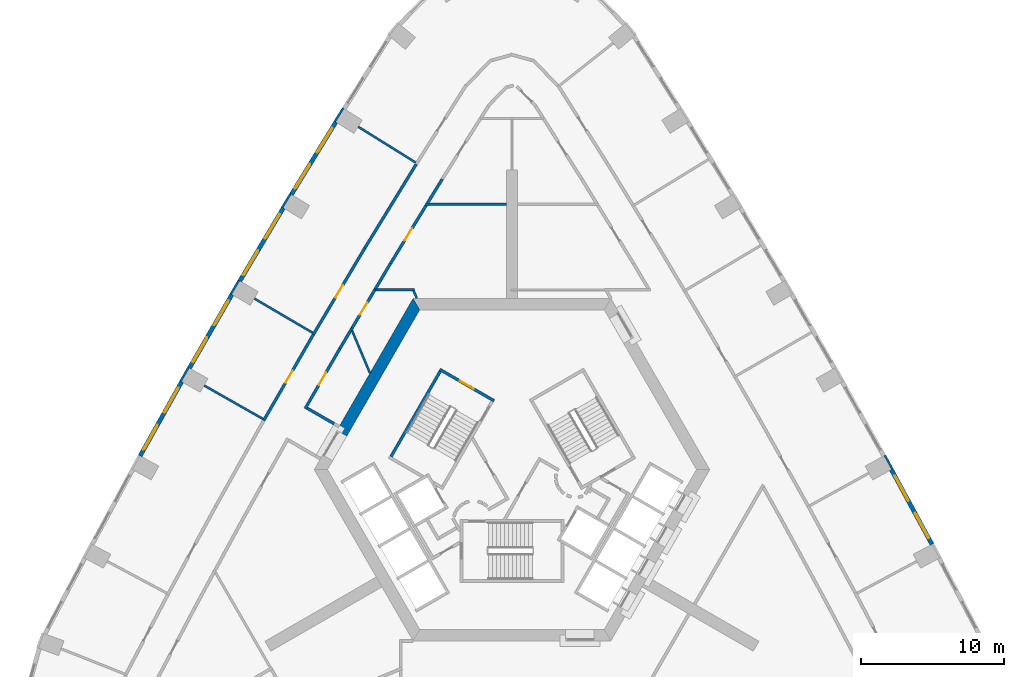
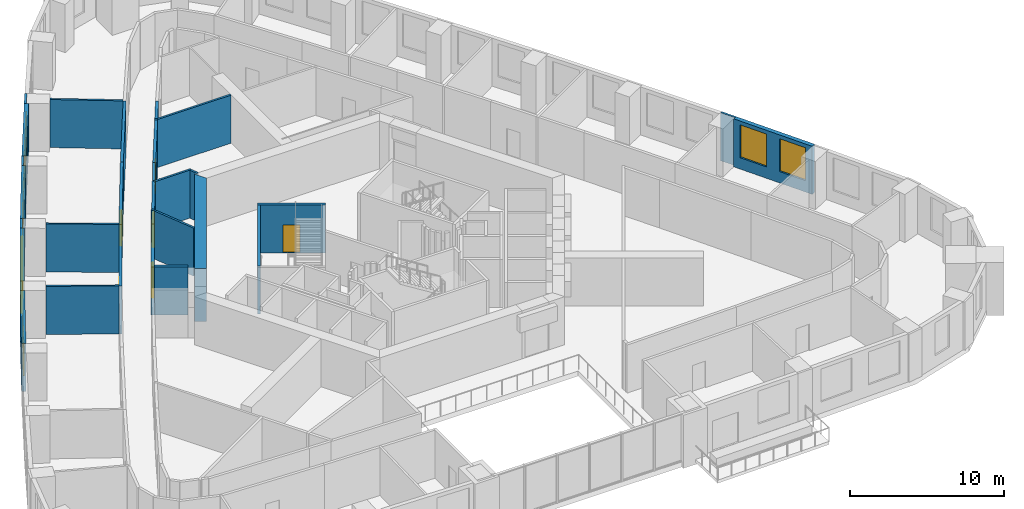
# One storey, part 8 of 12: 30 walls, 10 windows, 6 doors, 16 openings.
"""IFC4 building model written with IfcOpenShell, lengths in metres."""

from ifc_helpers import new_model, si_unit, direction, frame, frame_2d, origin, place, context, subcontext, project, spatial, polyline, rectangle, outline, extrude, material, layer, layer_set, type_object, element, fill, save


model = new_model("IFC4")

# Units and contexts
model_context = context("Model", 3, precision=1e-05, world=origin(), true_north=direction((0.0, 1.0)))
body_context = subcontext(model_context, "Body", "Model", "MODEL_VIEW")
ifc_project = project(units=[si_unit("LENGTHUNIT", "METRE"), si_unit("AREAUNIT", "SQUARE_METRE"), si_unit("VOLUMEUNIT", "CUBIC_METRE"), si_unit("PLANEANGLEUNIT", "RADIAN"), si_unit("MASSUNIT", "GRAM", prefix="KILO")], contexts=[model_context])

# Site, building, storey
site_placement = place(None, origin())
site = spatial("IfcSite", under=ifc_project, at=site_placement, CompositionType="ELEMENT")
building_placement = place(site_placement, origin())
building = spatial("IfcBuilding", under=site, at=building_placement, Name="Entoto Arch Interchange Tower", CompositionType="ELEMENT")
storey_placement = place(building_placement, frame((0.0, 0.0, 155.0)))
storey = spatial("IfcBuildingStorey", under=building, at=storey_placement, Name="L34", CompositionType="ELEMENT", Elevation=155.0)

# Walls
ifc_material_1 = material(Name="Concrete C50/60", Category="concrete")
ifc_layer_1 = layer(ifc_material_1, 0.800048828125)
ifc_layer_set_1 = layer_set([ifc_layer_1], Name="Concrete C50/60")
wall_type_1 = type_object("IfcWallType", Name="Core wall 800 C50/60", PredefinedType="SHEAR", material=ifc_layer_set_1)
wall_1_placement = place(storey_placement, frame((0.0, 0.0, -0.39990234375)))
element("IfcWall", 1, at=wall_1_placement, inside=storey, type_object=wall_type_1, Name="Core wall NW L34", PredefinedType="SHEAR", context=body_context, shape_type="SweptSolid", body=[
    extrude(outline(polyline([(-12.26708984375, 5.251953125), (-11.574951171875, 4.85205078125), (-6.466064453125, 13.699951171875), (-6.927978515625, 14.5), (-12.26708984375, 5.251953125)])), origin(), (0.0, 0.0, 1.0), 4.199951171875),
])
ifc_material_2 = material(Name="Gypsum board partition on steel studs", Category="steel")
ifc_layer_2 = layer(ifc_material_2, 0.14990234375)
ifc_layer_set_2 = layer_set([ifc_layer_2], Name="Gypsum board partition on steel studs")
wall_type_2 = type_object("IfcWallType", Name="PARTITION 150", PredefinedType="PARTITIONING", material=ifc_layer_set_2)
wall_2_placement = place(storey_placement, frame((-9.951904296875, 9.261962890625, 0.0), z_axis=(0.0, 0.0, 1.0), x_axis=(-0.38905491579, 0.921214563769, 0.0)))
element("IfcWall", 2, at=wall_2_placement, inside=storey, type_object=wall_type_2, Name="wall:L34:p085", PredefinedType="PARTITIONING", context=body_context, shape_type="SweptSolid", body=[
    extrude(rectangle(XDim=3.444580078125, YDim=0.14990234375, at=frame_2d((1.72216796875, 0.0))), origin(), (0.0, 0.0, 1.0), 3.800048828125),
])
wall_3_placement = place(storey_placement, frame((-6.845947265625, 15.10009765625, 0.0), z_axis=(0.0, 0.0, 1.0), x_axis=(-1.0, 0.0, 0.0)))
element("IfcWall", 3, at=wall_3_placement, inside=storey, type_object=wall_type_2, Name="wall:L34:p086", PredefinedType="PARTITIONING", context=body_context, shape_type="SweptSolid", body=[
    extrude(rectangle(XDim=2.76611328125, YDim=0.14990234375, at=frame_2d((1.383056640625, 0.0))), origin(), (0.0, 0.0, 1.0), 3.800048828125),
])
wall_4_placement = place(storey_placement, frame((-6.66796875, 14.5, 0.0), z_axis=(0.0, 0.0, 1.0), x_axis=(-0.388852201086, 0.921300149631, 0.0)))
element("IfcWall", 4, at=wall_4_placement, inside=storey, type_object=wall_type_2, Name="wall:L34:p087", PredefinedType="PARTITIONING", context=body_context, shape_type="SweptSolid", body=[
    extrude(rectangle(XDim=0.576416015625, YDim=0.14990234375, at=frame_2d((0.2880859375, 0.0))), origin(), (0.0, 0.0, 1.0), 3.800048828125),
])
wall_5_placement = place(storey_placement, frame((-6.06591796875, 21.10009765625, 0.0), z_axis=(0.0, 0.0, 1.0), x_axis=(1.0, 0.0, 0.0)))
element("IfcWall", 5, at=wall_5_placement, inside=storey, type_object=wall_type_2, Name="wall:L34:p114", PredefinedType="PARTITIONING", context=body_context, shape_type="SweptSolid", body=[
    extrude(rectangle(XDim=5.666015625, YDim=0.14990234375, at=frame_2d((2.8330078125, 0.0))), origin(), (0.0, 0.0, 1.0), 3.800048828125),
])
wall_6_placement = place(storey_placement, frame((-6.7548828125, 24.02294921875, 0.0), z_axis=(0.0, 0.0, 1.0), x_axis=(-0.848896034983, 0.528559856392, 0.0)))
element("IfcWall", 6, at=wall_6_placement, inside=storey, type_object=wall_type_2, Name="wall:L34:p132", PredefinedType="PARTITIONING", context=body_context, shape_type="SweptSolid", body=[
    extrude(rectangle(XDim=4.729736328125, YDim=0.14990234375, at=frame_2d((2.36474609375, 0.0))), origin(), (0.0, 0.0, 1.0), 3.800048828125),
])
wall_7_placement = place(storey_placement, frame((-13.965087890625, 12.087890625, 0.0), z_axis=(0.0, 0.0, 1.0), x_axis=(-0.862617990649, 0.50585591052, 0.0)))
element("IfcWall", 7, at=wall_7_placement, inside=storey, type_object=wall_type_2, Name="wall:L34:p133", PredefinedType="PARTITIONING", context=body_context, shape_type="SweptSolid", body=[
    extrude(rectangle(XDim=4.730712890625, YDim=0.14990234375, at=frame_2d((2.365234375, 0.0))), origin(), (0.0, 0.0, 1.0), 3.800048828125),
])
wall_8_placement = place(storey_placement, frame((-17.450927734375, 6.051025390625, 0.0), z_axis=(0.0, 0.0, 1.0), x_axis=(-0.869409691741, 0.494091882049, 0.0)))
element("IfcWall", 8, at=wall_8_placement, inside=storey, type_object=wall_type_2, Name="wall:L34:p134", PredefinedType="PARTITIONING", context=body_context, shape_type="SweptSolid", body=[
    extrude(rectangle(XDim=4.729736328125, YDim=0.14990234375, at=frame_2d((2.36474609375, 0.0))), origin(), (0.0, 0.0, 1.0), 3.800048828125),
])

# Wall, opening, door
ifc_layer_3 = layer(ifc_material_2, 0.199951171875)
ifc_layer_set_3 = layer_set([ifc_layer_3], Name="Gypsum board partition on steel studs")
wall_type_3 = type_object("IfcWallType", Name="PARTITION 200", PredefinedType="PARTITIONING", material=ifc_layer_set_3)
wall_9_placement = place(storey_placement, frame((-9.573974609375, 15.1640625, 0.0), z_axis=(0.0, 0.0, 1.0), x_axis=(-0.511482522046, -0.859293680671, 0.0)))
wall_9 = element("IfcWall", 9, at=wall_9_placement, inside=storey, type_object=wall_type_3, Name="wall:L34:p001", PredefinedType="PARTITIONING", context=body_context, shape_type="SweptSolid", body=[
    extrude(rectangle(XDim=3.20849609375, YDim=0.199951171875, at=frame_2d((1.604248046875, 0.0))), origin(), (0.0, 0.0, 1.0), 3.800048828125),
])
opening_1_placement = place(wall_9_placement, frame((1.10400390625, 0.0, 0.0)))
opening_1 = element("IfcOpeningElement", 10, at=opening_1_placement, cuts=wall_9, Name="Opening L34-D28", PredefinedType="OPENING", context=body_context, shape_type="SweptSolid", body=[
    extrude(rectangle(XDim=1.0, YDim=2.10009765625, at=frame_2d((0.5, 1.050048828125))), frame((0.0, 0.10986328125, 0.0), z_axis=(0.0, -1.0, 0.0), x_axis=(1.0, 0.0, 0.0)), (0.0, 0.0, 1.0), 0.219970703125),
])
ifc_material_3 = material(Name="Timber door leaf in Steel S235 frame", Category="steel")
door_type_1 = type_object("IfcDoorType", Name="DOOR DS-10 1000x2100", OperationType="SINGLE_SWING_LEFT", PredefinedType="DOOR", material=ifc_material_3)
door_1_placement = place(opening_1_placement, origin())
door_1 = element("IfcDoor", 11, at=door_1_placement, inside=storey, type_object=door_type_1, Name="door:L34:28", OperationType="SINGLE_SWING_RIGHT", OverallHeight=2.10009765625, OverallWidth=1.0, PredefinedType="DOOR", context=body_context, shape_type="SweptSolid", body=[
    extrude(rectangle(XDim=1.0, YDim=2.10009765625, at=frame_2d((0.5, 1.050048828125))), frame((0.0, 0.02490234375, 0.0), z_axis=(0.0, -1.0, 0.0), x_axis=(1.0, 0.0, 0.0)), (0.0, 0.0, 1.0), 0.050048828125),
])
fill(opening_1, door_1)

# Wall
wall_10_placement = place(storey_placement, frame((-11.291015625, 12.278076171875, 0.0), z_axis=(0.0, 0.0, 1.0), x_axis=(-0.511628198266, -0.859206952217, 0.0)))
element("IfcWall", 12, at=wall_10_placement, inside=storey, type_object=wall_type_3, Name="wall:L34:p002", PredefinedType="PARTITIONING", context=body_context, shape_type="SweptSolid", body=[
    extrude(rectangle(XDim=1.5166015625, YDim=0.199951171875, at=frame_2d((0.75830078125, 0.0))), origin(), (0.0, 0.0, 1.0), 3.800048828125),
])

# Wall, opening, door
wall_11_placement = place(storey_placement, frame((-12.06689453125, 10.97509765625, 0.0), z_axis=(0.0, 0.0, 1.0), x_axis=(-0.500215616273, -0.865900881878, 0.0)))
wall_11 = element("IfcWall", 13, at=wall_11_placement, inside=storey, type_object=wall_type_3, Name="wall:L34:p003", PredefinedType="PARTITIONING", context=body_context, shape_type="SweptSolid", body=[
    extrude(rectangle(XDim=4.856201171875, YDim=0.199951171875, at=frame_2d((2.42822265625, 0.0))), origin(), (0.0, 0.0, 1.0), 3.800048828125),
])
opening_2_placement = place(wall_11_placement, frame((1.927978515625, 0.0, 0.0)))
opening_2 = element("IfcOpeningElement", 14, at=opening_2_placement, cuts=wall_11, Name="Opening L34-D29", PredefinedType="OPENING", context=body_context, shape_type="SweptSolid", body=[
    extrude(rectangle(XDim=1.0, YDim=2.10009765625, at=frame_2d((0.5, 1.050048828125))), frame((0.0, 0.10986328125, 0.0), z_axis=(0.0, -1.0, 0.0), x_axis=(1.0, 0.0, 0.0)), (0.0, 0.0, 1.0), 0.219970703125),
])
door_2_placement = place(opening_2_placement, origin())
door_2 = element("IfcDoor", 15, at=door_2_placement, inside=storey, type_object=door_type_1, Name="door:L34:29", OperationType="SINGLE_SWING_LEFT", OverallHeight=2.10009765625, OverallWidth=1.0, PredefinedType="DOOR", context=body_context, shape_type="SweptSolid", body=[
    extrude(rectangle(XDim=1.0, YDim=2.10009765625, at=frame_2d((0.5, 1.050048828125))), frame((0.0, 0.02490234375, 0.0), z_axis=(0.0, -1.0, 0.0), x_axis=(1.0, 0.0, 0.0)), (0.0, 0.0, 1.0), 0.050048828125),
])
fill(opening_2, door_2)

# Wall
wall_12_placement = place(storey_placement, frame((-14.35888671875, 6.805908203125, 0.0), z_axis=(0.0, 0.0, 1.0), x_axis=(0.866155875717, -0.499773947861, 0.0)))
element("IfcWall", 16, at=wall_12_placement, inside=storey, type_object=wall_type_3, Name="wall:L34:p004", PredefinedType="PARTITIONING", context=body_context, shape_type="SweptSolid", body=[
    extrude(rectangle(XDim=2.18896484375, YDim=0.199951171875, at=frame_2d((1.094482421875, 0.0))), origin(), (0.0, 0.0, 1.0), 3.800048828125),
])

# Wall, opening, door
wall_13_placement = place(storey_placement, frame((-6.0048828125, 21.035888671875, 0.0), z_axis=(0.0, 0.0, 1.0), x_axis=(-0.522865983217, -0.852414901086, 0.0)))
wall_13 = element("IfcWall", 17, at=wall_13_placement, inside=storey, type_object=wall_type_3, Name="wall:L34:p009", PredefinedType="PARTITIONING", context=body_context, shape_type="SweptSolid", body=[
    extrude(rectangle(XDim=4.802734375, YDim=0.199951171875, at=frame_2d((2.4013671875, 0.0))), origin(), (0.0, 0.0, 1.0), 3.800048828125),
])
opening_3_placement = place(wall_13_placement, frame((1.90087890625, 0.0, 0.0)))
opening_3 = element("IfcOpeningElement", 18, at=opening_3_placement, cuts=wall_13, Name="Opening L34-D20", PredefinedType="OPENING", context=body_context, shape_type="SweptSolid", body=[
    extrude(rectangle(XDim=1.0, YDim=2.10009765625, at=frame_2d((0.5, 1.050048828125))), frame((0.0, 0.10986328125, 0.0), z_axis=(0.0, -1.0, 0.0), x_axis=(1.0, 0.0, 0.0)), (0.0, 0.0, 1.0), 0.219970703125),
])
door_3_placement = place(opening_3_placement, origin())
door_3 = element("IfcDoor", 19, at=door_3_placement, inside=storey, type_object=door_type_1, Name="door:L34:20", OperationType="SINGLE_SWING_LEFT", OverallHeight=2.10009765625, OverallWidth=1.0, PredefinedType="DOOR", context=body_context, shape_type="SweptSolid", body=[
    extrude(rectangle(XDim=1.0, YDim=2.10009765625, at=frame_2d((0.5, 1.050048828125))), frame((0.0, 0.02490234375, 0.0), z_axis=(0.0, -1.0, 0.0), x_axis=(1.0, 0.0, 0.0)), (0.0, 0.0, 1.0), 0.050048828125),
])
fill(opening_3, door_3)

# Walls
wall_14_placement = place(storey_placement, frame((-8.51611328125, 16.94189453125, 0.0), z_axis=(0.0, 0.0, 1.0), x_axis=(-0.511351070319, -0.859371911854, 0.0)))
element("IfcWall", 20, at=wall_14_placement, inside=storey, type_object=wall_type_3, Name="wall:L34:p010", PredefinedType="PARTITIONING", context=body_context, shape_type="SweptSolid", body=[
    extrude(rectangle(XDim=2.06884765625, YDim=0.199951171875, at=frame_2d((1.034423828125, 0.0))), origin(), (0.0, 0.0, 1.0), 3.800048828125),
])
wall_15_placement = place(storey_placement, frame((-4.886962890625, 22.860107421875, 0.0), z_axis=(0.0, 0.0, 1.0), x_axis=(-0.522754838565, -0.852483066552, 0.0)))
element("IfcWall", 21, at=wall_15_placement, inside=storey, type_object=wall_type_3, Name="wall:L34:p014", PredefinedType="PARTITIONING", context=body_context, shape_type="SweptSolid", body=[
    extrude(rectangle(XDim=1.989501953125, YDim=0.199951171875, at=frame_2d((0.99462890625, 0.0))), origin(), (0.0, 0.0, 1.0), 3.800048828125),
])

# Wall, opening, door
wall_16_placement = place(storey_placement, frame((-13.9169921875, 11.972900390625, 0.0), z_axis=(0.0, 0.0, 1.0), x_axis=(0.511455840413, 0.859309561978, 0.0)))
wall_16 = element("IfcWall", 22, at=wall_16_placement, inside=storey, type_object=wall_type_3, Name="wall:L34:p061", PredefinedType="PARTITIONING", context=body_context, shape_type="SweptSolid", body=[
    extrude(rectangle(XDim=7.046630859375, YDim=0.199951171875, at=frame_2d((3.5234375, 0.0))), origin(), (0.0, 0.0, 1.0), 3.800048828125),
])
opening_4_placement = place(wall_16_placement, frame((3.02294921875, 0.0, 0.0)))
opening_4 = element("IfcOpeningElement", 23, at=opening_4_placement, cuts=wall_16, Name="Opening L34-D11", PredefinedType="OPENING", context=body_context, shape_type="SweptSolid", body=[
    extrude(rectangle(XDim=1.0, YDim=2.10009765625, at=frame_2d((0.5, 1.050048828125))), frame((0.0, 0.10986328125, 0.0), z_axis=(0.0, -1.0, 0.0), x_axis=(1.0, 0.0, 0.0)), (0.0, 0.0, 1.0), 0.219970703125),
])
door_4_placement = place(opening_4_placement, origin())
door_4 = element("IfcDoor", 24, at=door_4_placement, inside=storey, type_object=door_type_1, Name="door:L34:11", OperationType="SINGLE_SWING_LEFT", OverallHeight=2.10009765625, OverallWidth=1.0, PredefinedType="DOOR", context=body_context, shape_type="SweptSolid", body=[
    extrude(rectangle(XDim=1.0, YDim=2.10009765625, at=frame_2d((0.5, 1.050048828125))), frame((0.0, 0.02490234375, 0.0), z_axis=(0.0, -1.0, 0.0), x_axis=(1.0, 0.0, 0.0)), (0.0, 0.0, 1.0), 0.050048828125),
])
fill(opening_4, door_4)

# Wall
wall_17_placement = place(storey_placement, frame((-10.31298828125, 18.028076171875, 0.0), z_axis=(0.0, 0.0, 1.0), x_axis=(0.522772968793, 0.85247194857, 0.0)))
element("IfcWall", 25, at=wall_17_placement, inside=storey, type_object=wall_type_3, Name="wall:L34:p062", PredefinedType="PARTITIONING", context=body_context, shape_type="SweptSolid", body=[
    extrude(rectangle(XDim=6.89404296875, YDim=0.199951171875, at=frame_2d((3.447021484375, 0.0))), origin(), (0.0, 0.0, 1.0), 3.800048828125),
])

# Wall, opening, door
wall_18_placement = place(storey_placement, frame((-17.402099609375, 5.93603515625, 0.0), z_axis=(0.0, 0.0, 1.0), x_axis=(0.500135788517, 0.865946992052, 0.0)))
wall_18 = element("IfcWall", 26, at=wall_18_placement, inside=storey, type_object=wall_type_3, Name="wall:L34:p063", PredefinedType="PARTITIONING", context=body_context, shape_type="SweptSolid", body=[
    extrude(rectangle(XDim=6.97021484375, YDim=0.199951171875, at=frame_2d((3.485107421875, 0.0))), origin(), (0.0, 0.0, 1.0), 3.800048828125),
])
opening_5_placement = place(wall_18_placement, frame((3.06005859375, 0.0, 0.0)))
opening_5 = element("IfcOpeningElement", 27, at=opening_5_placement, cuts=wall_18, Name="Opening L34-D12", PredefinedType="OPENING", context=body_context, shape_type="SweptSolid", body=[
    extrude(rectangle(XDim=1.0, YDim=2.10009765625, at=frame_2d((0.5, 1.050048828125))), frame((0.0, 0.10986328125, 0.0), z_axis=(0.0, -1.0, 0.0), x_axis=(1.0, 0.0, 0.0)), (0.0, 0.0, 1.0), 0.219970703125),
])
door_5_placement = place(opening_5_placement, origin())
door_5 = element("IfcDoor", 28, at=door_5_placement, inside=storey, type_object=door_type_1, Name="door:L34:12", OperationType="SINGLE_SWING_LEFT", OverallHeight=2.10009765625, OverallWidth=1.0, PredefinedType="DOOR", context=body_context, shape_type="SweptSolid", body=[
    extrude(rectangle(XDim=1.0, YDim=2.10009765625, at=frame_2d((0.5, 1.050048828125))), frame((0.0, 0.02490234375, 0.0), z_axis=(0.0, -1.0, 0.0), x_axis=(1.0, 0.0, 0.0)), (0.0, 0.0, 1.0), 0.050048828125),
])
fill(opening_5, door_5)

ifc_material_4 = material(Name="Concrete C40/50", Category="concrete")
ifc_layer_4 = layer(ifc_material_4, 0.199951171875)
ifc_layer_set_4 = layer_set([ifc_layer_4], Name="Concrete C40/50")
wall_type_4 = type_object("IfcWallType", Name="STAIR ENCLOSURE WALL 200", PredefinedType="STANDARD", material=ifc_layer_set_4)
wall_19_placement = place(storey_placement, frame((-1.256103515625, 7.323974609375, 0.0), z_axis=(0.0, 0.0, 1.0), x_axis=(-0.866046073146, 0.499964197906, 0.0)))
wall_19 = element("IfcWall", 29, at=wall_19_placement, inside=storey, type_object=wall_type_4, Name="Stair wall ST-NW near", PredefinedType="STANDARD", context=body_context, shape_type="SweptSolid", body=[
    extrude(rectangle(XDim=4.400146484375, YDim=0.199951171875, at=frame_2d((2.2001953125, 0.0))), origin(), (0.0, 0.0, 1.0), 3.800048828125),
])
opening_6_placement = place(wall_19_placement, frame((1.64990234375, 0.0, 0.0)))
opening_6 = element("IfcOpeningElement", 30, at=opening_6_placement, cuts=wall_19, Name="Opening SD-ST-NW-L34-E", PredefinedType="OPENING", context=body_context, shape_type="SweptSolid", body=[
    extrude(rectangle(XDim=1.10009765625, YDim=2.199951171875, at=frame_2d((0.550048828125, 1.10009765625))), frame((0.0, 0.10986328125, 0.0), z_axis=(0.0, -1.0, 0.0), x_axis=(1.0, 0.0, 0.0)), (0.0, 0.0, 1.0), 0.219970703125),
])
ifc_material_5 = material(Name="Steel S235", Category="steel")
door_type_2 = type_object("IfcDoorType", Name="STAIR DOOR SD1 1100x2200", OperationType="SINGLE_SWING_LEFT", PredefinedType="DOOR", material=ifc_material_5)
door_6_placement = place(opening_6_placement, origin())
door_6 = element("IfcDoor", 31, at=door_6_placement, inside=storey, type_object=door_type_2, Name="Stair door ST-NW L34 end", OperationType="SINGLE_SWING_LEFT", OverallHeight=2.199951171875, OverallWidth=1.10009765625, PredefinedType="DOOR", context=body_context, shape_type="SweptSolid", body=[
    extrude(rectangle(XDim=1.10009765625, YDim=2.199951171875, at=frame_2d((0.550048828125, 1.10009765625))), frame((0.0, 0.02490234375, 0.0), z_axis=(0.0, -1.0, 0.0), x_axis=(1.0, 0.0, 0.0)), (0.0, 0.0, 1.0), 0.050048828125),
])
fill(opening_6, door_6)

# Wall
wall_20_placement = place(storey_placement, frame((-5.030029296875, 9.387939453125, 0.0), z_axis=(0.0, 0.0, 1.0), x_axis=(-0.499978703459, -0.866037698999, 0.0)))
element("IfcWall", 32, at=wall_20_placement, inside=storey, type_object=wall_type_4, Name="Stair wall ST-NW back", PredefinedType="STANDARD", context=body_context, shape_type="SweptSolid", body=[
    extrude(rectangle(XDim=6.900146484375, YDim=0.199951171875, at=frame_2d((3.4501953125, 0.0))), origin(), (0.0, 0.0, 1.0), 3.800048828125),
])

# Wall, openings, windows
ifc_material_6 = material(Name="Welded tuff (ignimbrite) cladding, warm buff", Category="masonry")
ifc_layer_5 = layer(ifc_material_6, 0.300048828125)
ifc_layer_set_5 = layer_set([ifc_layer_5], Name="Welded tuff (ignimbrite) cladding, warm buff")
wall_type_5 = type_object("IfcWallType", Name="STONE INFILL WALL 300", PredefinedType="STANDARD", material=ifc_layer_set_5)
wall_21_placement = place(storey_placement, frame((29.43408203125, -2.736083984375, 0.0), z_axis=(0.0, 0.0, 1.0), x_axis=(-0.476970695077, 0.878919197673, 0.0)))
wall_21 = element("IfcWall", 33, at=wall_21_placement, inside=storey, type_object=wall_type_5, Name="Facade wall NE-02 L34", PredefinedType="STANDARD", context=body_context, shape_type="SweptSolid", body=[
    extrude(rectangle(XDim=5.95849609375, YDim=0.300048828125, at=frame_2d((2.979248046875, 0.0))), origin(), (0.0, 0.0, 1.0), 3.800048828125),
])
opening_7_placement = place(wall_21_placement, frame((0.489990234375, 0.0, 0.89990234375)))
opening_7 = element("IfcOpeningElement", 34, at=opening_7_placement, cuts=wall_21, Name="Opening WO-C", PredefinedType="OPENING", context=body_context, shape_type="SweptSolid", body=[
    extrude(rectangle(XDim=2.0, YDim=2.60009765625, at=frame_2d((1.0, 1.300048828125))), frame((0.0, 0.16015625, 0.0), z_axis=(0.0, -1.0, 0.0), x_axis=(1.0, 0.0, 0.0)), (0.0, 0.0, 1.0), 0.320068359375),
])
opening_8_placement = place(wall_21_placement, frame((3.468994140625, 0.0, 0.89990234375)))
opening_8 = element("IfcOpeningElement", 35, at=opening_8_placement, cuts=wall_21, Name="Opening WO-C", PredefinedType="OPENING", context=body_context, shape_type="SweptSolid", body=[
    extrude(rectangle(XDim=2.0, YDim=2.60009765625, at=frame_2d((1.0, 1.300048828125))), frame((0.0, 0.16015625, 0.0), z_axis=(0.0, -1.0, 0.0), x_axis=(1.0, 0.0, 0.0)), (0.0, 0.0, 1.0), 0.320068359375),
])
ifc_material_7 = material(Name="Clear glass, low-e double glazed", Category="glass")
window_type = type_object("IfcWindowType", Name="WINDOW WO-C 2000x2600", PartitioningType="DOUBLE_PANEL_VERTICAL", PredefinedType="WINDOW", material=ifc_material_7)
window_1_placement = place(opening_7_placement, origin())
window_1 = element("IfcWindow", 36, at=window_1_placement, inside=storey, type_object=window_type, Name="Window WO-C NE-02 L34", OverallHeight=2.60009765625, OverallWidth=2.0, PartitioningType="SINGLE_PANEL", PredefinedType="WINDOW", context=body_context, shape_type="SweptSolid", body=[
    extrude(rectangle(XDim=2.0, YDim=2.60009765625, at=frame_2d((1.0, 1.300048828125))), frame((0.0, 0.030029296875, 0.0), z_axis=(0.0, -1.0, 0.0), x_axis=(1.0, 0.0, 0.0)), (0.0, 0.0, 1.0), 0.06005859375),
])
fill(opening_7, window_1)
window_2_placement = place(opening_8_placement, origin())
window_2 = element("IfcWindow", 37, at=window_2_placement, inside=storey, type_object=window_type, Name="Window WO-C NE-02 L34", OverallHeight=2.60009765625, OverallWidth=2.0, PartitioningType="SINGLE_PANEL", PredefinedType="WINDOW", context=body_context, shape_type="SweptSolid", body=[
    extrude(rectangle(XDim=2.0, YDim=2.60009765625, at=frame_2d((1.0, 1.300048828125))), frame((0.0, 0.030029296875, 0.0), z_axis=(0.0, -1.0, 0.0), x_axis=(1.0, 0.0, 0.0)), (0.0, 0.0, 1.0), 0.06005859375),
])
fill(opening_8, window_2)

wall_22_placement = place(storey_placement, frame((-12.347900390625, 26.85791015625, 0.0), z_axis=(0.0, 0.0, 1.0), x_axis=(-0.522704272908, -0.852514072074, 0.0)))
wall_22 = element("IfcWall", 38, at=wall_22_placement, inside=storey, type_object=wall_type_5, Name="Facade wall NW-02 L34", PredefinedType="STANDARD", context=body_context, shape_type="SweptSolid", body=[
    extrude(rectangle(XDim=5.95751953125, YDim=0.300048828125, at=frame_2d((2.978759765625, 0.0))), origin(), (0.0, 0.0, 1.0), 3.800048828125),
])
opening_9_placement = place(wall_22_placement, frame((0.489013671875, 0.0, 0.89990234375)))
opening_9 = element("IfcOpeningElement", 39, at=opening_9_placement, cuts=wall_22, Name="Opening WO-C", PredefinedType="OPENING", context=body_context, shape_type="SweptSolid", body=[
    extrude(rectangle(XDim=2.0, YDim=2.60009765625, at=frame_2d((1.0, 1.300048828125))), frame((0.0, 0.16015625, 0.0), z_axis=(0.0, -1.0, 0.0), x_axis=(1.0, 0.0, 0.0)), (0.0, 0.0, 1.0), 0.320068359375),
])
opening_10_placement = place(wall_22_placement, frame((3.468017578125, 0.0, 0.89990234375)))
opening_10 = element("IfcOpeningElement", 40, at=opening_10_placement, cuts=wall_22, Name="Opening WO-C", PredefinedType="OPENING", context=body_context, shape_type="SweptSolid", body=[
    extrude(rectangle(XDim=2.0, YDim=2.60009765625, at=frame_2d((1.0, 1.300048828125))), frame((0.0, 0.16015625, 0.0), z_axis=(0.0, -1.0, 0.0), x_axis=(1.0, 0.0, 0.0)), (0.0, 0.0, 1.0), 0.320068359375),
])
window_3_placement = place(opening_9_placement, origin())
window_3 = element("IfcWindow", 41, at=window_3_placement, inside=storey, type_object=window_type, Name="Window WO-C NW-02 L34", OverallHeight=2.60009765625, OverallWidth=2.0, PartitioningType="SINGLE_PANEL", PredefinedType="WINDOW", context=body_context, shape_type="SweptSolid", body=[
    extrude(rectangle(XDim=2.0, YDim=2.60009765625, at=frame_2d((1.0, 1.300048828125))), frame((0.0, 0.030029296875, 0.0), z_axis=(0.0, -1.0, 0.0), x_axis=(1.0, 0.0, 0.0)), (0.0, 0.0, 1.0), 0.06005859375),
])
fill(opening_9, window_3)
window_4_placement = place(opening_10_placement, origin())
window_4 = element("IfcWindow", 42, at=window_4_placement, inside=storey, type_object=window_type, Name="Window WO-C NW-02 L34", OverallHeight=2.60009765625, OverallWidth=2.0, PartitioningType="SINGLE_PANEL", PredefinedType="WINDOW", context=body_context, shape_type="SweptSolid", body=[
    extrude(rectangle(XDim=2.0, YDim=2.60009765625, at=frame_2d((1.0, 1.300048828125))), frame((0.0, 0.030029296875, 0.0), z_axis=(0.0, -1.0, 0.0), x_axis=(1.0, 0.0, 0.0)), (0.0, 0.0, 1.0), 0.06005859375),
])
fill(opening_10, window_4)

wall_23_placement = place(storey_placement, frame((-16.029052734375, 20.840087890625, 0.0), z_axis=(0.0, 0.0, 1.0), x_axis=(-0.511455040009, -0.859310038374, 0.0)))
wall_23 = element("IfcWall", 43, at=wall_23_placement, inside=storey, type_object=wall_type_5, Name="Facade wall NW-03 L34", PredefinedType="STANDARD", context=body_context, shape_type="SweptSolid", body=[
    extrude(rectangle(XDim=5.957275390625, YDim=0.300048828125, at=frame_2d((2.978515625, 0.0))), origin(), (0.0, 0.0, 1.0), 3.800048828125),
])
opening_11_placement = place(wall_23_placement, frame((0.489013671875, 0.0, 0.89990234375)))
opening_11 = element("IfcOpeningElement", 44, at=opening_11_placement, cuts=wall_23, Name="Opening WO-C", PredefinedType="OPENING", context=body_context, shape_type="SweptSolid", body=[
    extrude(rectangle(XDim=2.0, YDim=2.60009765625, at=frame_2d((1.0, 1.300048828125))), frame((0.0, 0.16015625, 0.0), z_axis=(0.0, -1.0, 0.0), x_axis=(1.0, 0.0, 0.0)), (0.0, 0.0, 1.0), 0.320068359375),
])
opening_12_placement = place(wall_23_placement, frame((3.468017578125, 0.0, 0.89990234375)))
opening_12 = element("IfcOpeningElement", 45, at=opening_12_placement, cuts=wall_23, Name="Opening WO-C", PredefinedType="OPENING", context=body_context, shape_type="SweptSolid", body=[
    extrude(rectangle(XDim=2.0, YDim=2.60009765625, at=frame_2d((1.0, 1.300048828125))), frame((0.0, 0.16015625, 0.0), z_axis=(0.0, -1.0, 0.0), x_axis=(1.0, 0.0, 0.0)), (0.0, 0.0, 1.0), 0.320068359375),
])
window_5_placement = place(opening_11_placement, origin())
window_5 = element("IfcWindow", 46, at=window_5_placement, inside=storey, type_object=window_type, Name="Window WO-C NW-03 L34", OverallHeight=2.60009765625, OverallWidth=2.0, PartitioningType="SINGLE_PANEL", PredefinedType="WINDOW", context=body_context, shape_type="SweptSolid", body=[
    extrude(rectangle(XDim=2.0, YDim=2.60009765625, at=frame_2d((1.0, 1.300048828125))), frame((0.0, 0.030029296875, 0.0), z_axis=(0.0, -1.0, 0.0), x_axis=(1.0, 0.0, 0.0)), (0.0, 0.0, 1.0), 0.06005859375),
])
fill(opening_11, window_5)
window_6_placement = place(opening_12_placement, origin())
window_6 = element("IfcWindow", 47, at=window_6_placement, inside=storey, type_object=window_type, Name="Window WO-C NW-03 L34", OverallHeight=2.60009765625, OverallWidth=2.0, PartitioningType="SINGLE_PANEL", PredefinedType="WINDOW", context=body_context, shape_type="SweptSolid", body=[
    extrude(rectangle(XDim=2.0, YDim=2.60009765625, at=frame_2d((1.0, 1.300048828125))), frame((0.0, 0.030029296875, 0.0), z_axis=(0.0, -1.0, 0.0), x_axis=(1.0, 0.0, 0.0)), (0.0, 0.0, 1.0), 0.06005859375),
])
fill(opening_12, window_6)

wall_24_placement = place(storey_placement, frame((-19.631103515625, 14.77392578125, 0.0), z_axis=(0.0, 0.0, 1.0), x_axis=(-0.500061823953, -0.865989706766, 0.0)))
wall_24 = element("IfcWall", 48, at=wall_24_placement, inside=storey, type_object=wall_type_5, Name="Facade wall NW-04 L34", PredefinedType="STANDARD", context=body_context, shape_type="SweptSolid", body=[
    extrude(rectangle(XDim=5.957275390625, YDim=0.300048828125, at=frame_2d((2.978515625, 0.0))), origin(), (0.0, 0.0, 1.0), 3.800048828125),
])
opening_13_placement = place(wall_24_placement, frame((0.489013671875, 0.0, 0.89990234375)))
opening_13 = element("IfcOpeningElement", 49, at=opening_13_placement, cuts=wall_24, Name="Opening WO-C", PredefinedType="OPENING", context=body_context, shape_type="SweptSolid", body=[
    extrude(rectangle(XDim=2.0, YDim=2.60009765625, at=frame_2d((1.0, 1.300048828125))), frame((0.0, 0.16015625, 0.0), z_axis=(0.0, -1.0, 0.0), x_axis=(1.0, 0.0, 0.0)), (0.0, 0.0, 1.0), 0.320068359375),
])
opening_14_placement = place(wall_24_placement, frame((3.468017578125, 0.0, 0.89990234375)))
opening_14 = element("IfcOpeningElement", 50, at=opening_14_placement, cuts=wall_24, Name="Opening WO-C", PredefinedType="OPENING", context=body_context, shape_type="SweptSolid", body=[
    extrude(rectangle(XDim=2.0, YDim=2.60009765625, at=frame_2d((1.0, 1.300048828125))), frame((0.0, 0.16015625, 0.0), z_axis=(0.0, -1.0, 0.0), x_axis=(1.0, 0.0, 0.0)), (0.0, 0.0, 1.0), 0.320068359375),
])
window_7_placement = place(opening_13_placement, origin())
window_7 = element("IfcWindow", 51, at=window_7_placement, inside=storey, type_object=window_type, Name="Window WO-C NW-04 L34", OverallHeight=2.60009765625, OverallWidth=2.0, PartitioningType="SINGLE_PANEL", PredefinedType="WINDOW", context=body_context, shape_type="SweptSolid", body=[
    extrude(rectangle(XDim=2.0, YDim=2.60009765625, at=frame_2d((1.0, 1.300048828125))), frame((0.0, 0.030029296875, 0.0), z_axis=(0.0, -1.0, 0.0), x_axis=(1.0, 0.0, 0.0)), (0.0, 0.0, 1.0), 0.06005859375),
])
fill(opening_13, window_7)
window_8_placement = place(opening_14_placement, origin())
window_8 = element("IfcWindow", 52, at=window_8_placement, inside=storey, type_object=window_type, Name="Window WO-C NW-04 L34", OverallHeight=2.60009765625, OverallWidth=2.0, PartitioningType="SINGLE_PANEL", PredefinedType="WINDOW", context=body_context, shape_type="SweptSolid", body=[
    extrude(rectangle(XDim=2.0, YDim=2.60009765625, at=frame_2d((1.0, 1.300048828125))), frame((0.0, 0.030029296875, 0.0), z_axis=(0.0, -1.0, 0.0), x_axis=(1.0, 0.0, 0.0)), (0.0, 0.0, 1.0), 0.06005859375),
])
fill(opening_14, window_8)

wall_25_placement = place(storey_placement, frame((-23.153076171875, 8.660888671875, 0.0), z_axis=(0.0, 0.0, 1.0), x_axis=(-0.488354983501, -0.872645065356, 0.0)))
wall_25 = element("IfcWall", 53, at=wall_25_placement, inside=storey, type_object=wall_type_5, Name="Facade wall NW-05 L34", PredefinedType="STANDARD", context=body_context, shape_type="SweptSolid", body=[
    extrude(rectangle(XDim=5.95654296875, YDim=0.300048828125, at=frame_2d((2.978271484375, 0.0))), origin(), (0.0, 0.0, 1.0), 3.800048828125),
])
opening_15_placement = place(wall_25_placement, frame((0.489013671875, 0.0, 0.89990234375)))
opening_15 = element("IfcOpeningElement", 54, at=opening_15_placement, cuts=wall_25, Name="Opening WO-C", PredefinedType="OPENING", context=body_context, shape_type="SweptSolid", body=[
    extrude(rectangle(XDim=2.0, YDim=2.60009765625, at=frame_2d((1.0, 1.300048828125))), frame((0.0, 0.16015625, 0.0), z_axis=(0.0, -1.0, 0.0), x_axis=(1.0, 0.0, 0.0)), (0.0, 0.0, 1.0), 0.320068359375),
])
opening_16_placement = place(wall_25_placement, frame((3.467041015625, 0.0, 0.89990234375)))
opening_16 = element("IfcOpeningElement", 55, at=opening_16_placement, cuts=wall_25, Name="Opening WO-C", PredefinedType="OPENING", context=body_context, shape_type="SweptSolid", body=[
    extrude(rectangle(XDim=2.0, YDim=2.60009765625, at=frame_2d((1.0, 1.300048828125))), frame((0.0, 0.16015625, 0.0), z_axis=(0.0, -1.0, 0.0), x_axis=(1.0, 0.0, 0.0)), (0.0, 0.0, 1.0), 0.320068359375),
])
window_9_placement = place(opening_15_placement, origin())
window_9 = element("IfcWindow", 56, at=window_9_placement, inside=storey, type_object=window_type, Name="Window WO-C NW-05 L34", OverallHeight=2.60009765625, OverallWidth=2.0, PartitioningType="SINGLE_PANEL", PredefinedType="WINDOW", context=body_context, shape_type="SweptSolid", body=[
    extrude(rectangle(XDim=2.0, YDim=2.60009765625, at=frame_2d((1.0, 1.300048828125))), frame((0.0, 0.030029296875, 0.0), z_axis=(0.0, -1.0, 0.0), x_axis=(1.0, 0.0, 0.0)), (0.0, 0.0, 1.0), 0.06005859375),
])
fill(opening_15, window_9)
window_10_placement = place(opening_16_placement, origin())
window_10 = element("IfcWindow", 57, at=window_10_placement, inside=storey, type_object=window_type, Name="Window WO-C NW-05 L34", OverallHeight=2.60009765625, OverallWidth=2.0, PartitioningType="SINGLE_PANEL", PredefinedType="WINDOW", context=body_context, shape_type="SweptSolid", body=[
    extrude(rectangle(XDim=2.0, YDim=2.60009765625, at=frame_2d((1.0, 1.300048828125))), frame((0.0, 0.030029296875, 0.0), z_axis=(0.0, -1.0, 0.0), x_axis=(1.0, 0.0, 0.0)), (0.0, 0.0, 1.0), 0.06005859375),
])
fill(opening_16, window_10)

# Walls
ifc_layer_6 = layer(ifc_material_6, 0.14990234375)
ifc_layer_set_6 = layer_set([ifc_layer_6], Name="Welded tuff (ignimbrite) cladding, warm buff")
wall_type_6 = type_object("IfcWallType", Name="STONE PIER CLADDING 150", PredefinedType="STANDARD", material=ifc_layer_set_6)
wall_26_placement = place(storey_placement, frame((26.660888671875, 2.5380859375, 0.0), z_axis=(0.0, 0.0, 1.0), x_axis=(-0.481680143513, 0.87634709981, 0.0)))
element("IfcWall", 58, at=wall_26_placement, inside=storey, type_object=wall_type_6, Name="Stone pier NE03 L34", PredefinedType="STANDARD", context=body_context, shape_type="SweptSolid", body=[
    extrude(rectangle(XDim=1.099853515625, YDim=0.14990234375, at=frame_2d((0.5498046875, 0.0))), origin(), (0.0, 0.0, 1.0), 3.800048828125),
])
for number, where, z_axis, x_axis, name in (
    (59, (-11.8330078125, 27.83203125, 0.0), (0.0, 0.0, 1.0), (-0.529879262372, -0.848073090782, 0.0), "Stone pier NW02 L34"),
    (60, (-15.528076171875, 21.821044921875, 0.0), (0.0, 0.0, 1.0), (-0.517918067967, -0.85543022794, 0.0), "Stone pier NW03 L34"),
):
    element("IfcWall", number, at=place(storey_placement, frame(where, z_axis=z_axis, x_axis=x_axis)), inside=storey, type_object=wall_type_6, Name=name, PredefinedType="STANDARD", context=body_context, shape_type="SweptSolid", body=[
        extrude(rectangle(XDim=1.100341796875, YDim=0.14990234375, at=frame_2d((0.55029296875, 0.0))), origin(), (0.0, 0.0, 1.0), 3.800048828125),
    ])
wall_27_placement = place(storey_placement, frame((-19.14306640625, 15.760986328125, 0.0), z_axis=(0.0, 0.0, 1.0), x_axis=(-0.506505715302, -0.862236603472, 0.0)))
element("IfcWall", 61, at=wall_27_placement, inside=storey, type_object=wall_type_6, Name="Stone pier NW04 L34", PredefinedType="STANDARD", context=body_context, shape_type="SweptSolid", body=[
    extrude(rectangle(XDim=1.099365234375, YDim=0.14990234375, at=frame_2d((0.5498046875, 0.0))), origin(), (0.0, 0.0, 1.0), 3.800048828125),
])
wall_28_placement = place(storey_placement, frame((-22.677978515625, 9.655029296875, 0.0), z_axis=(0.0, 0.0, 1.0), x_axis=(-0.494512685492, -0.869170411305, 0.0)))
element("IfcWall", 62, at=wall_28_placement, inside=storey, type_object=wall_type_6, Name="Stone pier NW05 L34", PredefinedType="STANDARD", context=body_context, shape_type="SweptSolid", body=[
    extrude(rectangle(XDim=1.099853515625, YDim=0.14990234375, at=frame_2d((0.5498046875, 0.0))), origin(), (0.0, 0.0, 1.0), 3.800048828125),
])

save(model, "model.ifc")
